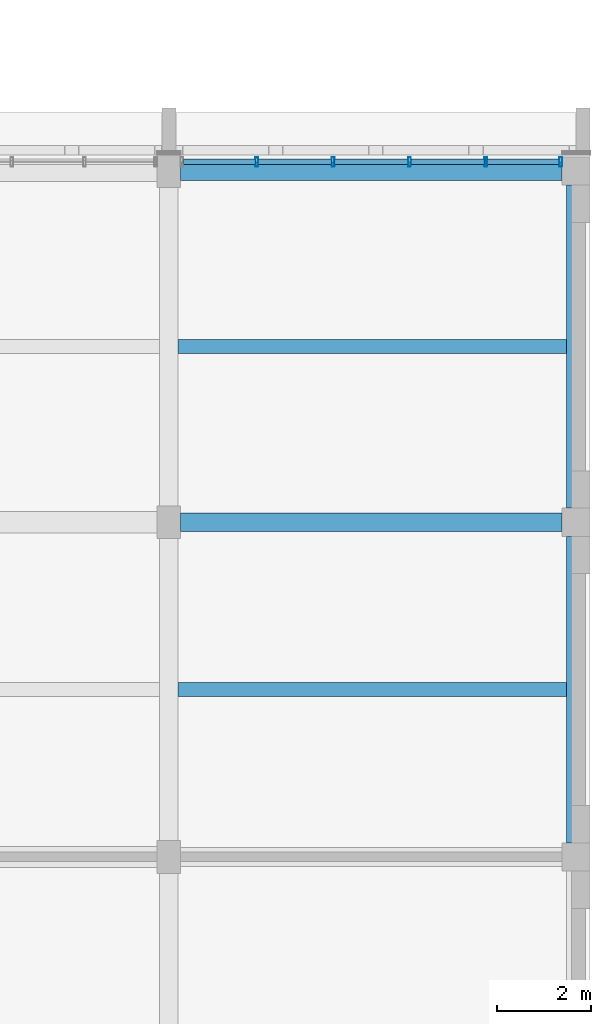
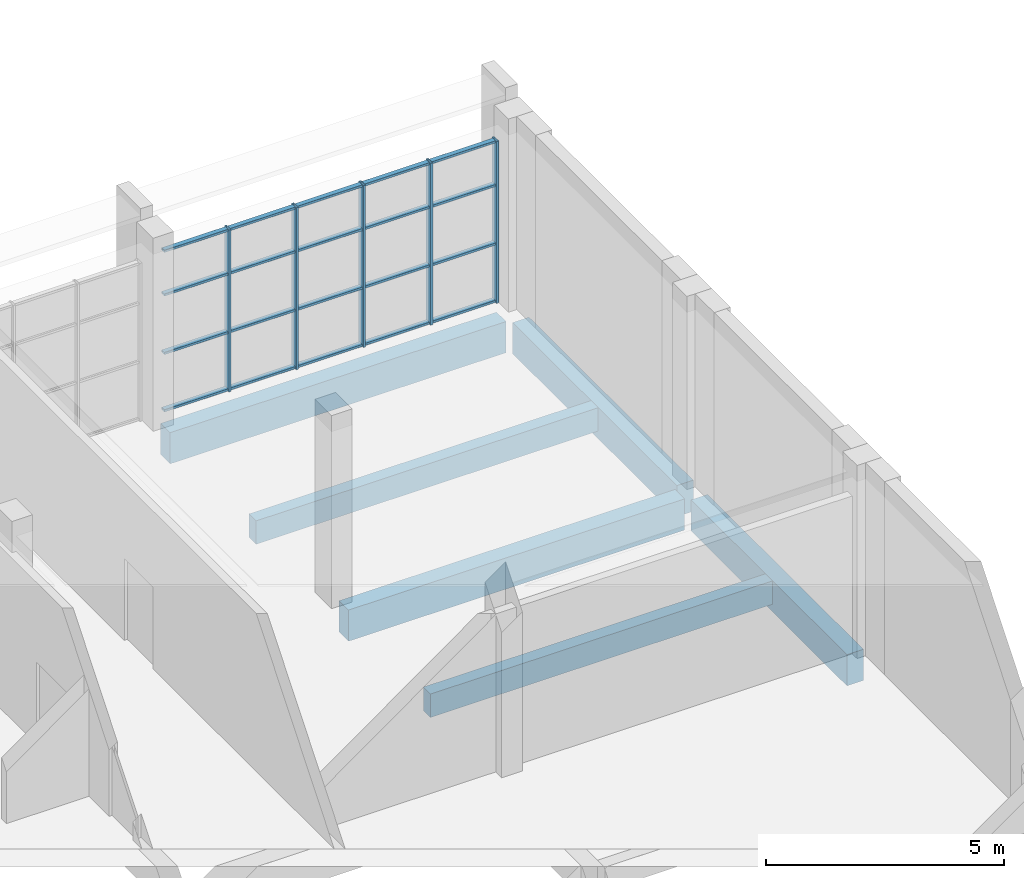
# One storey, part 52 of 125: 25 members, 6 beams, 1 element without a shape of its own.
"""IFC4 building model written with IfcOpenShell, lengths in metres."""

from ifc_helpers import new_model, si_unit, direction, frame, origin, origin_2d, place, context, subcontext, project, spatial, rectangle, hollow_rectangle, extrude, material, material_profile, profile_set, type_object, element, aggregate, save


model = new_model("IFC4")

# Units and contexts
model_context = context("Model", 3, precision=1e-05, world=origin(), true_north=direction((0.0, 1.0)))
body_context = subcontext(model_context, "Body", "Model", "MODEL_VIEW")
ifc_project = project(units=[si_unit("LENGTHUNIT", "METRE"), si_unit("AREAUNIT", "SQUARE_METRE"), si_unit("VOLUMEUNIT", "CUBIC_METRE"), si_unit("PLANEANGLEUNIT", "RADIAN"), si_unit("MASSUNIT", "GRAM", prefix="KILO")], contexts=[model_context])

# Site, building, storey
site_placement = place(None, origin())
site = spatial("IfcSite", under=ifc_project, at=site_placement, CompositionType="ELEMENT")
building_placement = place(site_placement, origin())
building = spatial("IfcBuilding", under=site, at=building_placement, Name="Sun Court Science Centre", CompositionType="ELEMENT")
storey_placement = place(building_placement, frame((0.0, 0.0, 6.0)))
storey = spatial("IfcBuildingStorey", under=building, at=storey_placement, Name="L01", CompositionType="ELEMENT", Elevation=6.0)

# Curtain wall, members
ifc_material_1 = material(Name="Aluminium EN AW-6063 T6", Category="aluminium")
curtain_wall_type = type_object("IfcCurtainWallType", Name="Laboratory tall bay curtain wall 1500", PredefinedType="NOTDEFINED", material=ifc_material_1)
curtain_wall_placement = place(storey_placement, origin())
curtain_wall = element("IfcCurtainWall", 1, at=curtain_wall_placement, inside=storey, type_object=curtain_wall_type, Name="Curtain wall V4 N L01 03", PredefinedType="NOTDEFINED")
ifc_material_2 = material(Name="Aluminium EN AW-6063 T6", Category="aluminium")
ifc_material_profile_1 = material_profile(ifc_material_2, hollow_rectangle(XDim=0.06005859375, YDim=0.199951171875, WallThickness=0.0048828125, InnerFilletRadius=0.0048828125, OuterFilletRadius=0.007568359375, at=origin_2d()), Name="AL 60x200x5")
ifc_profile_set_1 = profile_set([ifc_material_profile_1], Name="Aluminium EN AW-6063 T6")
member_type_1 = type_object("IfcMemberType", Name="Curtain wall mullion AL 60x200", PredefinedType="MULLION", material=ifc_profile_set_1)
member_1_placement = place(storey_placement, frame((96.8798828125, 80.85009765625, 0.0), z_axis=(0.0, 0.0, 1.0), x_axis=(1.0, 0.0, 0.0)))
member_1 = element("IfcMember", 2, at=member_1_placement, type_object=member_type_1, Name="CW2-66 mullion 2", PredefinedType="MULLION", context=body_context, shape_type="SweptSolid", body=[
    extrude(hollow_rectangle(XDim=0.06005859375, YDim=0.199951171875, WallThickness=0.0048828125, InnerFilletRadius=0.0048828125, OuterFilletRadius=0.007568359375, at=origin_2d()), origin(), (0.0, 0.0, 1.0), 4.14990234375),
])
member_2_placement = place(storey_placement, frame((98.510009765625, 80.85009765625, 0.0), z_axis=(0.0, 0.0, 1.0), x_axis=(1.0, 0.0, 0.0)))
member_2 = element("IfcMember", 3, at=member_2_placement, type_object=member_type_1, Name="CW2-66 mullion 3", PredefinedType="MULLION", context=body_context, shape_type="SweptSolid", body=[
    extrude(hollow_rectangle(XDim=0.06005859375, YDim=0.199951171875, WallThickness=0.0048828125, InnerFilletRadius=0.0048828125, OuterFilletRadius=0.007568359375, at=origin_2d()), origin(), (0.0, 0.0, 1.0), 4.14990234375),
])
member_3_placement = place(storey_placement, frame((100.139892578125, 80.85009765625, 0.0), z_axis=(0.0, 0.0, 1.0), x_axis=(1.0, 0.0, 0.0)))
member_3 = element("IfcMember", 4, at=member_3_placement, type_object=member_type_1, Name="CW2-66 mullion 4", PredefinedType="MULLION", context=body_context, shape_type="SweptSolid", body=[
    extrude(hollow_rectangle(XDim=0.06005859375, YDim=0.199951171875, WallThickness=0.0048828125, InnerFilletRadius=0.0048828125, OuterFilletRadius=0.007568359375, at=origin_2d()), origin(), (0.0, 0.0, 1.0), 4.14990234375),
])
member_4_placement = place(storey_placement, frame((101.77001953125, 80.85009765625, 0.0), z_axis=(0.0, 0.0, 1.0), x_axis=(1.0, 0.0, 0.0)))
member_4 = element("IfcMember", 5, at=member_4_placement, type_object=member_type_1, Name="CW2-66 mullion 5", PredefinedType="MULLION", context=body_context, shape_type="SweptSolid", body=[
    extrude(hollow_rectangle(XDim=0.06005859375, YDim=0.199951171875, WallThickness=0.0048828125, InnerFilletRadius=0.0048828125, OuterFilletRadius=0.007568359375, at=origin_2d()), origin(), (0.0, 0.0, 1.0), 4.14990234375),
])
member_5_placement = place(storey_placement, frame((103.3701171875, 80.85009765625, 0.0), z_axis=(0.0, 0.0, 1.0), x_axis=(1.0, 0.0, 0.0)))
member_5 = element("IfcMember", 6, at=member_5_placement, type_object=member_type_1, Name="CW2-66 mullion 6", PredefinedType="MULLION", context=body_context, shape_type="SweptSolid", body=[
    extrude(hollow_rectangle(XDim=0.06005859375, YDim=0.199951171875, WallThickness=0.0048828125, InnerFilletRadius=0.0048828125, OuterFilletRadius=0.007568359375, at=origin_2d()), origin(), (0.0, 0.0, 1.0), 4.14990234375),
])
ifc_material_3 = material(Name="Aluminium EN AW-6063 T6", Category="aluminium")
ifc_material_profile_2 = material_profile(ifc_material_3, hollow_rectangle(XDim=0.06005859375, YDim=0.1201171875, WallThickness=0.00390625, InnerFilletRadius=0.00390625, OuterFilletRadius=0.006103515625, at=origin_2d()), Name="AL 60x120x4")
ifc_profile_set_2 = profile_set([ifc_material_profile_2], Name="Aluminium EN AW-6063 T6")
member_type_2 = type_object("IfcMemberType", Name="Curtain wall transom AL 60x120", PredefinedType="USERDEFINED", material=ifc_profile_set_2)
member_6_placement = place(storey_placement, frame((95.31005859375, 80.85009765625, 0.030029296875), z_axis=(1.0, 0.0, 0.0), x_axis=(0.0, 0.0, 1.0)))
member_6 = element("IfcMember", 7, at=member_6_placement, type_object=member_type_2, Name="CW2-66 transom 1.1", ObjectType="TRANSOM", PredefinedType="USERDEFINED", context=body_context, shape_type="SweptSolid", body=[
    extrude(hollow_rectangle(XDim=0.06005859375, YDim=0.1201171875, WallThickness=0.00390625, InnerFilletRadius=0.00390625, OuterFilletRadius=0.006103515625, at=origin_2d()), origin(), (0.0, 0.0, 1.0), 1.5400390625),
])
member_7_placement = place(storey_placement, frame((96.909912109375, 80.85009765625, 0.030029296875), z_axis=(1.0, 0.0, 0.0), x_axis=(0.0, 0.0, 1.0)))
member_7 = element("IfcMember", 8, at=member_7_placement, type_object=member_type_2, Name="CW2-66 transom 2.1", ObjectType="TRANSOM", PredefinedType="USERDEFINED", context=body_context, shape_type="SweptSolid", body=[
    extrude(hollow_rectangle(XDim=0.06005859375, YDim=0.1201171875, WallThickness=0.00390625, InnerFilletRadius=0.00390625, OuterFilletRadius=0.006103515625, at=origin_2d()), origin(), (0.0, 0.0, 1.0), 1.570068359375),
])
member_8_placement = place(storey_placement, frame((98.5400390625, 80.85009765625, 0.030029296875), z_axis=(1.0, 0.0, 0.0), x_axis=(0.0, 0.0, 1.0)))
member_8 = element("IfcMember", 9, at=member_8_placement, type_object=member_type_2, Name="CW2-66 transom 3.1", ObjectType="TRANSOM", PredefinedType="USERDEFINED", context=body_context, shape_type="SweptSolid", body=[
    extrude(hollow_rectangle(XDim=0.06005859375, YDim=0.1201171875, WallThickness=0.00390625, InnerFilletRadius=0.00390625, OuterFilletRadius=0.006103515625, at=origin_2d()), origin(), (0.0, 0.0, 1.0), 1.570068359375),
])
member_9_placement = place(storey_placement, frame((100.169921875, 80.85009765625, 0.030029296875), z_axis=(1.0, 0.0, 0.0), x_axis=(0.0, 0.0, 1.0)))
member_9 = element("IfcMember", 10, at=member_9_placement, type_object=member_type_2, Name="CW2-66 transom 4.1", ObjectType="TRANSOM", PredefinedType="USERDEFINED", context=body_context, shape_type="SweptSolid", body=[
    extrude(hollow_rectangle(XDim=0.06005859375, YDim=0.1201171875, WallThickness=0.00390625, InnerFilletRadius=0.00390625, OuterFilletRadius=0.006103515625, at=origin_2d()), origin(), (0.0, 0.0, 1.0), 1.570068359375),
])
member_10_placement = place(storey_placement, frame((101.800048828125, 80.85009765625, 0.030029296875), z_axis=(1.0, 0.0, 0.0), x_axis=(0.0, 0.0, 1.0)))
member_10 = element("IfcMember", 11, at=member_10_placement, type_object=member_type_2, Name="CW2-66 transom 5.1", ObjectType="TRANSOM", PredefinedType="USERDEFINED", context=body_context, shape_type="SweptSolid", body=[
    extrude(hollow_rectangle(XDim=0.06005859375, YDim=0.1201171875, WallThickness=0.00390625, InnerFilletRadius=0.00390625, OuterFilletRadius=0.006103515625, at=origin_2d()), origin(), (0.0, 0.0, 1.0), 1.5400390625),
])
member_11_placement = place(storey_placement, frame((95.31005859375, 80.85009765625, 1.5), z_axis=(1.0, 0.0, 0.0), x_axis=(0.0, 0.0, 1.0)))
member_11 = element("IfcMember", 12, at=member_11_placement, type_object=member_type_2, Name="CW2-66 transom 1.2", ObjectType="TRANSOM", PredefinedType="USERDEFINED", context=body_context, shape_type="SweptSolid", body=[
    extrude(hollow_rectangle(XDim=0.06005859375, YDim=0.1201171875, WallThickness=0.00390625, InnerFilletRadius=0.00390625, OuterFilletRadius=0.006103515625, at=origin_2d()), origin(), (0.0, 0.0, 1.0), 1.5400390625),
])
member_12_placement = place(storey_placement, frame((96.909912109375, 80.85009765625, 1.5), z_axis=(1.0, 0.0, 0.0), x_axis=(0.0, 0.0, 1.0)))
member_12 = element("IfcMember", 13, at=member_12_placement, type_object=member_type_2, Name="CW2-66 transom 2.2", ObjectType="TRANSOM", PredefinedType="USERDEFINED", context=body_context, shape_type="SweptSolid", body=[
    extrude(hollow_rectangle(XDim=0.06005859375, YDim=0.1201171875, WallThickness=0.00390625, InnerFilletRadius=0.00390625, OuterFilletRadius=0.006103515625, at=origin_2d()), origin(), (0.0, 0.0, 1.0), 1.570068359375),
])
member_13_placement = place(storey_placement, frame((98.5400390625, 80.85009765625, 1.5), z_axis=(1.0, 0.0, 0.0), x_axis=(0.0, 0.0, 1.0)))
member_13 = element("IfcMember", 14, at=member_13_placement, type_object=member_type_2, Name="CW2-66 transom 3.2", ObjectType="TRANSOM", PredefinedType="USERDEFINED", context=body_context, shape_type="SweptSolid", body=[
    extrude(hollow_rectangle(XDim=0.06005859375, YDim=0.1201171875, WallThickness=0.00390625, InnerFilletRadius=0.00390625, OuterFilletRadius=0.006103515625, at=origin_2d()), origin(), (0.0, 0.0, 1.0), 1.570068359375),
])
member_14_placement = place(storey_placement, frame((100.169921875, 80.85009765625, 1.5), z_axis=(1.0, 0.0, 0.0), x_axis=(0.0, 0.0, 1.0)))
member_14 = element("IfcMember", 15, at=member_14_placement, type_object=member_type_2, Name="CW2-66 transom 4.2", ObjectType="TRANSOM", PredefinedType="USERDEFINED", context=body_context, shape_type="SweptSolid", body=[
    extrude(hollow_rectangle(XDim=0.06005859375, YDim=0.1201171875, WallThickness=0.00390625, InnerFilletRadius=0.00390625, OuterFilletRadius=0.006103515625, at=origin_2d()), origin(), (0.0, 0.0, 1.0), 1.570068359375),
])
member_15_placement = place(storey_placement, frame((101.800048828125, 80.85009765625, 1.5), z_axis=(1.0, 0.0, 0.0), x_axis=(0.0, 0.0, 1.0)))
member_15 = element("IfcMember", 16, at=member_15_placement, type_object=member_type_2, Name="CW2-66 transom 5.2", ObjectType="TRANSOM", PredefinedType="USERDEFINED", context=body_context, shape_type="SweptSolid", body=[
    extrude(hollow_rectangle(XDim=0.06005859375, YDim=0.1201171875, WallThickness=0.00390625, InnerFilletRadius=0.00390625, OuterFilletRadius=0.006103515625, at=origin_2d()), origin(), (0.0, 0.0, 1.0), 1.5400390625),
])
member_16_placement = place(storey_placement, frame((95.31005859375, 80.85009765625, 3.0), z_axis=(1.0, 0.0, 0.0), x_axis=(0.0, 0.0, 1.0)))
member_16 = element("IfcMember", 17, at=member_16_placement, type_object=member_type_2, Name="CW2-66 transom 1.3", ObjectType="TRANSOM", PredefinedType="USERDEFINED", context=body_context, shape_type="SweptSolid", body=[
    extrude(hollow_rectangle(XDim=0.06005859375, YDim=0.1201171875, WallThickness=0.00390625, InnerFilletRadius=0.00390625, OuterFilletRadius=0.006103515625, at=origin_2d()), origin(), (0.0, 0.0, 1.0), 1.5400390625),
])
member_17_placement = place(storey_placement, frame((96.909912109375, 80.85009765625, 3.0), z_axis=(1.0, 0.0, 0.0), x_axis=(0.0, 0.0, 1.0)))
member_17 = element("IfcMember", 18, at=member_17_placement, type_object=member_type_2, Name="CW2-66 transom 2.3", ObjectType="TRANSOM", PredefinedType="USERDEFINED", context=body_context, shape_type="SweptSolid", body=[
    extrude(hollow_rectangle(XDim=0.06005859375, YDim=0.1201171875, WallThickness=0.00390625, InnerFilletRadius=0.00390625, OuterFilletRadius=0.006103515625, at=origin_2d()), origin(), (0.0, 0.0, 1.0), 1.570068359375),
])
member_18_placement = place(storey_placement, frame((98.5400390625, 80.85009765625, 3.0), z_axis=(1.0, 0.0, 0.0), x_axis=(0.0, 0.0, 1.0)))
member_18 = element("IfcMember", 19, at=member_18_placement, type_object=member_type_2, Name="CW2-66 transom 3.3", ObjectType="TRANSOM", PredefinedType="USERDEFINED", context=body_context, shape_type="SweptSolid", body=[
    extrude(hollow_rectangle(XDim=0.06005859375, YDim=0.1201171875, WallThickness=0.00390625, InnerFilletRadius=0.00390625, OuterFilletRadius=0.006103515625, at=origin_2d()), origin(), (0.0, 0.0, 1.0), 1.570068359375),
])
member_19_placement = place(storey_placement, frame((100.169921875, 80.85009765625, 3.0), z_axis=(1.0, 0.0, 0.0), x_axis=(0.0, 0.0, 1.0)))
member_19 = element("IfcMember", 20, at=member_19_placement, type_object=member_type_2, Name="CW2-66 transom 4.3", ObjectType="TRANSOM", PredefinedType="USERDEFINED", context=body_context, shape_type="SweptSolid", body=[
    extrude(hollow_rectangle(XDim=0.06005859375, YDim=0.1201171875, WallThickness=0.00390625, InnerFilletRadius=0.00390625, OuterFilletRadius=0.006103515625, at=origin_2d()), origin(), (0.0, 0.0, 1.0), 1.570068359375),
])
member_20_placement = place(storey_placement, frame((101.800048828125, 80.85009765625, 3.0), z_axis=(1.0, 0.0, 0.0), x_axis=(0.0, 0.0, 1.0)))
member_20 = element("IfcMember", 21, at=member_20_placement, type_object=member_type_2, Name="CW2-66 transom 5.3", ObjectType="TRANSOM", PredefinedType="USERDEFINED", context=body_context, shape_type="SweptSolid", body=[
    extrude(hollow_rectangle(XDim=0.06005859375, YDim=0.1201171875, WallThickness=0.00390625, InnerFilletRadius=0.00390625, OuterFilletRadius=0.006103515625, at=origin_2d()), origin(), (0.0, 0.0, 1.0), 1.5400390625),
])
member_21_placement = place(storey_placement, frame((95.31005859375, 80.85009765625, 4.1201171875), z_axis=(1.0, 0.0, 0.0), x_axis=(0.0, 0.0, 1.0)))
member_21 = element("IfcMember", 22, at=member_21_placement, type_object=member_type_2, Name="CW2-66 transom 1.4", ObjectType="TRANSOM", PredefinedType="USERDEFINED", context=body_context, shape_type="SweptSolid", body=[
    extrude(hollow_rectangle(XDim=0.06005859375, YDim=0.1201171875, WallThickness=0.00390625, InnerFilletRadius=0.00390625, OuterFilletRadius=0.006103515625, at=origin_2d()), origin(), (0.0, 0.0, 1.0), 1.5400390625),
])
member_22_placement = place(storey_placement, frame((96.909912109375, 80.85009765625, 4.1201171875), z_axis=(1.0, 0.0, 0.0), x_axis=(0.0, 0.0, 1.0)))
member_22 = element("IfcMember", 23, at=member_22_placement, type_object=member_type_2, Name="CW2-66 transom 2.4", ObjectType="TRANSOM", PredefinedType="USERDEFINED", context=body_context, shape_type="SweptSolid", body=[
    extrude(hollow_rectangle(XDim=0.06005859375, YDim=0.1201171875, WallThickness=0.00390625, InnerFilletRadius=0.00390625, OuterFilletRadius=0.006103515625, at=origin_2d()), origin(), (0.0, 0.0, 1.0), 1.570068359375),
])
member_23_placement = place(storey_placement, frame((98.5400390625, 80.85009765625, 4.1201171875), z_axis=(1.0, 0.0, 0.0), x_axis=(0.0, 0.0, 1.0)))
member_23 = element("IfcMember", 24, at=member_23_placement, type_object=member_type_2, Name="CW2-66 transom 3.4", ObjectType="TRANSOM", PredefinedType="USERDEFINED", context=body_context, shape_type="SweptSolid", body=[
    extrude(hollow_rectangle(XDim=0.06005859375, YDim=0.1201171875, WallThickness=0.00390625, InnerFilletRadius=0.00390625, OuterFilletRadius=0.006103515625, at=origin_2d()), origin(), (0.0, 0.0, 1.0), 1.570068359375),
])
member_24_placement = place(storey_placement, frame((100.169921875, 80.85009765625, 4.1201171875), z_axis=(1.0, 0.0, 0.0), x_axis=(0.0, 0.0, 1.0)))
member_24 = element("IfcMember", 25, at=member_24_placement, type_object=member_type_2, Name="CW2-66 transom 4.4", ObjectType="TRANSOM", PredefinedType="USERDEFINED", context=body_context, shape_type="SweptSolid", body=[
    extrude(hollow_rectangle(XDim=0.06005859375, YDim=0.1201171875, WallThickness=0.00390625, InnerFilletRadius=0.00390625, OuterFilletRadius=0.006103515625, at=origin_2d()), origin(), (0.0, 0.0, 1.0), 1.570068359375),
])
member_25_placement = place(storey_placement, frame((101.800048828125, 80.85009765625, 4.1201171875), z_axis=(1.0, 0.0, 0.0), x_axis=(0.0, 0.0, 1.0)))
member_25 = element("IfcMember", 26, at=member_25_placement, type_object=member_type_2, Name="CW2-66 transom 5.4", ObjectType="TRANSOM", PredefinedType="USERDEFINED", context=body_context, shape_type="SweptSolid", body=[
    extrude(hollow_rectangle(XDim=0.06005859375, YDim=0.1201171875, WallThickness=0.00390625, InnerFilletRadius=0.00390625, OuterFilletRadius=0.006103515625, at=origin_2d()), origin(), (0.0, 0.0, 1.0), 1.5400390625),
])
aggregate(curtain_wall, [member_1, member_2, member_3, member_4, member_5, member_6, member_7, member_8, member_9, member_10, member_11, member_12, member_13, member_14, member_15, member_16, member_17, member_18, member_19, member_20, member_21, member_22, member_23, member_24, member_25])

# Beams
ifc_material_4 = material(Name="Concrete C25/30", Category="concrete")
ifc_material_profile_3 = material_profile(ifc_material_4, rectangle(XDim=0.39990234375, YDim=0.800048828125, at=origin_2d()), Name="RC 400x800")
ifc_profile_set_3 = profile_set([ifc_material_profile_3], Name="Concrete C25/30")
beam_type_1 = type_object("IfcBeamType", Name="RC girder 400x800", PredefinedType="BEAM", material=ifc_profile_set_3)
for number, where, z_axis, x_axis, name in (
    (27, (95.25, 73.14990234375, -0.699951171875), (1.0, 0.0, 0.0), (0.0, 1.0, 0.0), "Girder L01 row 10"),
    (28, (95.25, 80.64990234375, -0.699951171875), (1.0, 0.0, 0.0), (0.0, 1.0, 0.0), "Girder L01 row 11"),
):
    element("IfcBeam", number, at=place(storey_placement, frame(where, z_axis=z_axis, x_axis=x_axis)), inside=storey, type_object=beam_type_1, Name=name, PredefinedType="BEAM", context=body_context, shape_type="SweptSolid", body=[
        extrude(rectangle(XDim=0.39990234375, YDim=0.800048828125, at=origin_2d()), origin(), (0.0, 0.0, 1.0), 8.14990234375),
    ])
beam_1_placement = place(storey_placement, frame((103.699951171875, 66.300048828125, -0.699951171875), z_axis=(0.0, 1.0, 0.0), x_axis=(-1.0, 0.0, 0.0)))
element("IfcBeam", 29, at=beam_1_placement, inside=storey, type_object=beam_type_1, Name="Girder L01 line 4", PredefinedType="BEAM", context=body_context, shape_type="SweptSolid", body=[
    extrude(rectangle(XDim=0.39990234375, YDim=0.800048828125, at=origin_2d()), origin(), (0.0, 0.0, 1.0), 6.550048828125),
])
beam_2_placement = place(storey_placement, frame((103.699951171875, 73.449951171875, -0.699951171875), z_axis=(0.0, 1.0, 0.0), x_axis=(-1.0, 0.0, 0.0)))
element("IfcBeam", 30, at=beam_2_placement, inside=storey, type_object=beam_type_1, Name="Girder L01 line 4", PredefinedType="BEAM", context=body_context, shape_type="SweptSolid", body=[
    extrude(rectangle(XDim=0.39990234375, YDim=0.800048828125, at=origin_2d()), origin(), (0.0, 0.0, 1.0), 6.900146484375),
])
ifc_material_5 = material(Name="Concrete C25/30", Category="concrete")
ifc_material_profile_4 = material_profile(ifc_material_5, rectangle(XDim=0.300048828125, YDim=0.60009765625, at=origin_2d()), Name="RC 300x600")
ifc_profile_set_4 = profile_set([ifc_material_profile_4], Name="Concrete C25/30")
beam_type_2 = type_object("IfcBeamType", Name="RC joist 300x600", PredefinedType="JOIST", material=ifc_profile_set_4)
for number, where, z_axis, x_axis, name in (
    (31, (95.199951171875, 69.574951171875, -0.60009765625), (1.0, 0.0, 0.0), (0.0, 1.0, 0.0), "Joist L01"),
    (32, (95.199951171875, 76.89990234375, -0.60009765625), (1.0, 0.0, 0.0), (0.0, 1.0, 0.0), "Joist L01"),
):
    element("IfcBeam", number, at=place(storey_placement, frame(where, z_axis=z_axis, x_axis=x_axis)), inside=storey, type_object=beam_type_2, Name=name, PredefinedType="JOIST", context=body_context, shape_type="SweptSolid", body=[
        extrude(rectangle(XDim=0.300048828125, YDim=0.60009765625, at=origin_2d()), origin(), (0.0, 0.0, 1.0), 8.300048828125),
    ])

save(model, "model.ifc")
